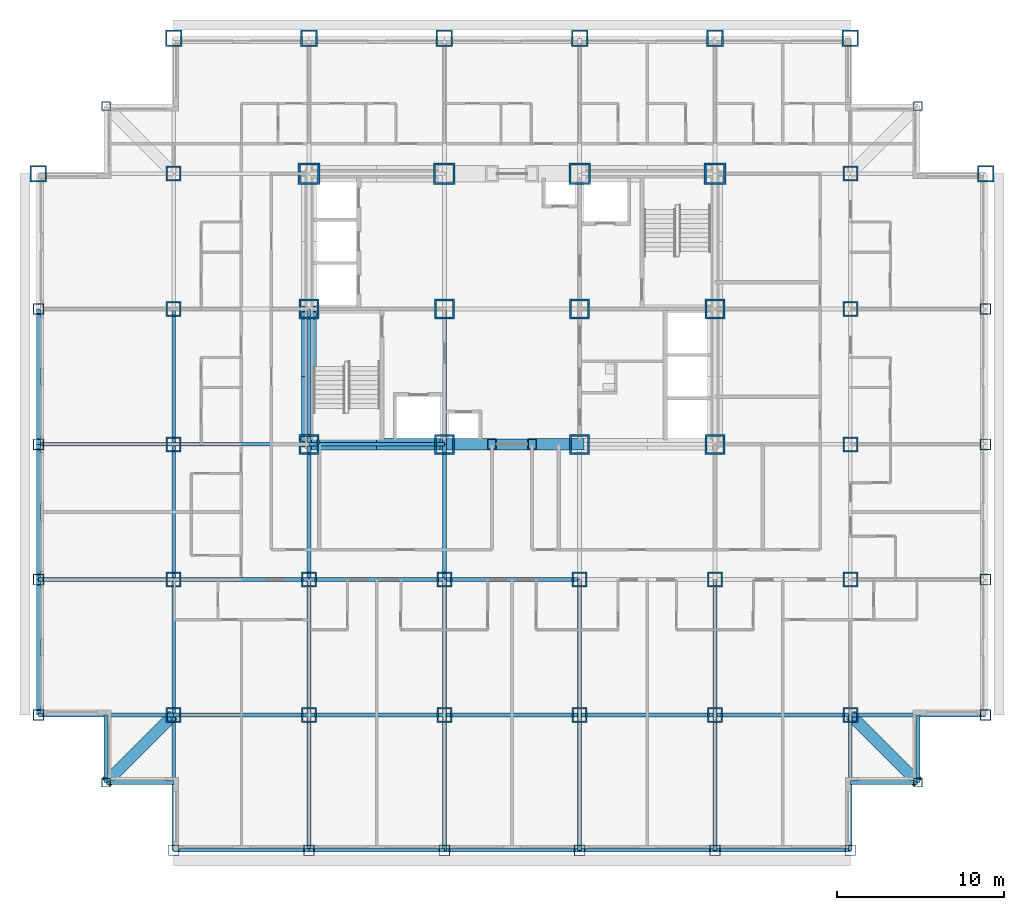
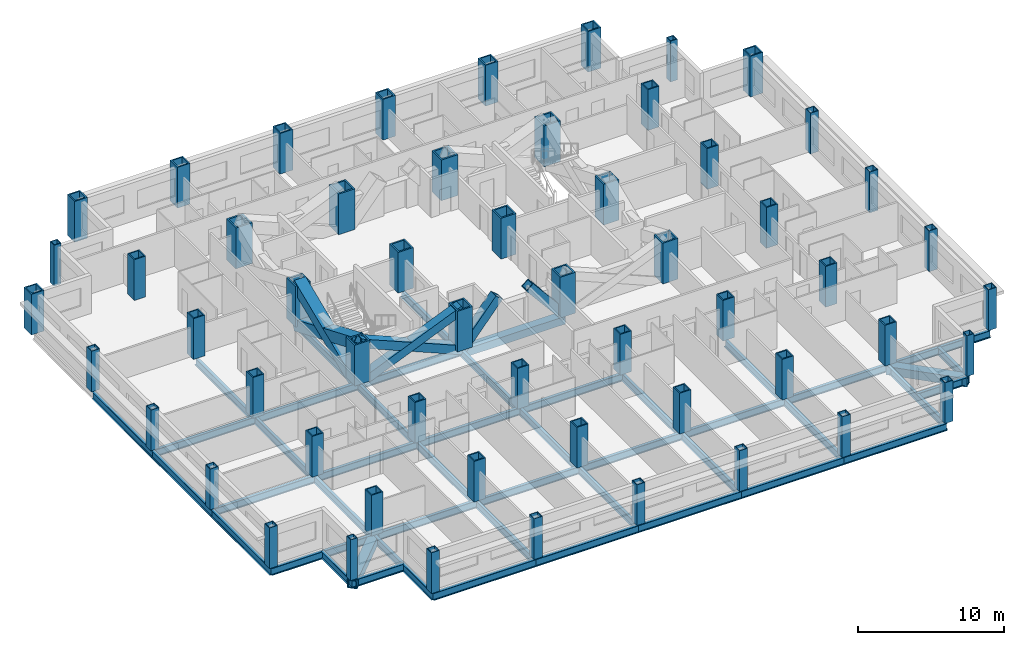
# One storey, part 1 of 12: 56 columns, 46 beams, 6 members.
"""IFC4 building model written with IfcOpenShell, lengths in metres."""

from ifc_helpers import new_model, si_unit, direction, frame, origin, origin_2d, place, context, subcontext, project, spatial, hollow_rectangle, i_section, extrude, material, material_profile, profile_set, type_object, element, save


model = new_model("IFC4")

# Units and contexts
model_context = context("Model", 3, precision=1e-05, world=origin(), true_north=direction((0.0, 1.0)))
body_context = subcontext(model_context, "Body", "Model", "MODEL_VIEW")
ifc_project = project(units=[si_unit("LENGTHUNIT", "METRE"), si_unit("AREAUNIT", "SQUARE_METRE"), si_unit("VOLUMEUNIT", "CUBIC_METRE"), si_unit("PLANEANGLEUNIT", "RADIAN"), si_unit("MASSUNIT", "GRAM", prefix="KILO")], contexts=[model_context])

# Site, building, storey
site_placement = place(None, origin())
site = spatial("IfcSite", under=ifc_project, at=site_placement, CompositionType="ELEMENT")
building_placement = place(site_placement, origin())
building = spatial("IfcBuilding", under=site, at=building_placement, Name="Kopane Lantern Tower", CompositionType="ELEMENT")
storey_placement = place(building_placement, frame((0.0, 0.0, 77.199951171875)))
storey = spatial("IfcBuildingStorey", under=building, at=storey_placement, Name="L19", CompositionType="ELEMENT", Elevation=77.199951171875)

# Columns
ifc_material_1 = material(Name="Steel S355JR", Category="steel")
ifc_material_profile_1 = material_profile(ifc_material_1, hollow_rectangle(XDim=1.0, YDim=1.0, WallThickness=0.10009765625, at=origin_2d()), Name="BOX 1000x1000x100")
ifc_profile_set_1 = profile_set([ifc_material_profile_1], Name="Steel S355JR")
column_type_1 = type_object("IfcColumnType", Name="COLUMN BOX 1000x1000x100", PredefinedType="COLUMN", material=ifc_profile_set_1)
for number, where, z_axis, x_axis, name in (
    (1, (0.0, 40.5, 0.0), (0.0, 0.0, 1.0), (1.0, 0.0, 0.0), "Column 2/G L19"),
    (2, (8.10009765625, 48.60009765625, 0.0), (0.0, 0.0, 1.0), (1.0, 0.0, 0.0), "Column 3/H L19"),
    (3, (16.199951171875, 48.60009765625, 0.0), (0.0, 0.0, 1.0), (1.0, 0.0, 0.0), "Column 4/H L19"),
    (4, (24.300048828125, 48.60009765625, 0.0), (0.0, 0.0, 1.0), (1.0, 0.0, 0.0), "Column 5/H L19"),
    (5, (32.39990234375, 48.60009765625, 0.0), (0.0, 0.0, 1.0), (1.0, 0.0, 0.0), "Column 6/H L19"),
    (6, (40.5, 48.60009765625, 0.0), (0.0, 0.0, 1.0), (1.0, 0.0, 0.0), "Column 7/H L19"),
    (7, (48.60009765625, 48.60009765625, 0.0), (0.0, 0.0, 1.0), (1.0, 0.0, 0.0), "Column 8/H L19"),
    (8, (56.699951171875, 40.5, 0.0), (0.0, 0.0, 1.0), (1.0, 0.0, 0.0), "Column 9/G L19"),
):
    element("IfcColumn", number, at=place(storey_placement, frame(where, z_axis=z_axis, x_axis=x_axis)), inside=storey, type_object=column_type_1, Name=name, PredefinedType="COLUMN", context=body_context, shape_type="SweptSolid", body=[
        extrude(hollow_rectangle(XDim=1.0, YDim=1.0, WallThickness=0.10009765625, at=origin_2d()), origin(), (0.0, 0.0, 1.0), 3.400146484375),
    ])
ifc_material_2 = material(Name="Steel S355JR", Category="steel")
ifc_material_profile_2 = material_profile(ifc_material_2, hollow_rectangle(XDim=1.199951171875, YDim=1.199951171875, WallThickness=0.1201171875, at=origin_2d()), Name="BOX 1200x1200x120")
ifc_profile_set_2 = profile_set([ifc_material_profile_2], Name="Steel S355JR")
column_type_2 = type_object("IfcColumnType", Name="COLUMN BOX 1200x1200x120", PredefinedType="COLUMN", material=ifc_profile_set_2)
for number, where, z_axis, x_axis, name in (
    (9, (16.199951171875, 24.300048828125, 0.0), (0.0, 0.0, 1.0), (1.0, 0.0, 0.0), "Column 4/E L19"),
    (10, (16.199951171875, 32.39990234375, 0.0), (0.0, 0.0, 1.0), (1.0, 0.0, 0.0), "Column 4/F L19"),
    (11, (24.300048828125, 24.300048828125, 0.0), (0.0, 0.0, 1.0), (1.0, 0.0, 0.0), "Column 5/E L19"),
    (12, (24.300048828125, 32.39990234375, 0.0), (0.0, 0.0, 1.0), (1.0, 0.0, 0.0), "Column 5/F L19"),
    (13, (32.39990234375, 24.300048828125, 0.0), (0.0, 0.0, 1.0), (1.0, 0.0, 0.0), "Column 6/E L19"),
    (14, (32.39990234375, 32.39990234375, 0.0), (0.0, 0.0, 1.0), (1.0, 0.0, 0.0), "Column 6/F L19"),
    (15, (40.5, 24.300048828125, 0.0), (0.0, 0.0, 1.0), (1.0, 0.0, 0.0), "Column 7/E L19"),
    (16, (40.5, 32.39990234375, 0.0), (0.0, 0.0, 1.0), (1.0, 0.0, 0.0), "Column 7/F L19"),
):
    element("IfcColumn", number, at=place(storey_placement, frame(where, z_axis=z_axis, x_axis=x_axis)), inside=storey, type_object=column_type_2, Name=name, PredefinedType="COLUMN", context=body_context, shape_type="SweptSolid", body=[
        extrude(hollow_rectangle(XDim=1.199951171875, YDim=1.199951171875, WallThickness=0.1201171875, at=origin_2d()), origin(), (0.0, 0.0, 1.0), 3.400146484375),
    ])
ifc_material_3 = material(Name="Steel S355JR", Category="steel")
ifc_material_profile_3 = material_profile(ifc_material_3, hollow_rectangle(XDim=1.300048828125, YDim=1.300048828125, WallThickness=0.1298828125, at=origin_2d()), Name="BOX 1300x1300x130")
ifc_profile_set_3 = profile_set([ifc_material_profile_3], Name="Steel S355JR")
column_type_3 = type_object("IfcColumnType", Name="COLUMN BOX 1300x1300x130", PredefinedType="COLUMN", material=ifc_profile_set_3)
for number, where, z_axis, x_axis, name in (
    (17, (16.199951171875, 40.5, 0.0), (0.0, 0.0, 1.0), (1.0, 0.0, 0.0), "Column 4/G L19"),
    (18, (24.300048828125, 40.5, 0.0), (0.0, 0.0, 1.0), (1.0, 0.0, 0.0), "Column 5/G L19"),
    (19, (32.39990234375, 40.5, 0.0), (0.0, 0.0, 1.0), (1.0, 0.0, 0.0), "Column 6/G L19"),
    (20, (40.5, 40.5, 0.0), (0.0, 0.0, 1.0), (1.0, 0.0, 0.0), "Column 7/G L19"),
):
    element("IfcColumn", number, at=place(storey_placement, frame(where, z_axis=z_axis, x_axis=x_axis)), inside=storey, type_object=column_type_3, Name=name, PredefinedType="COLUMN", context=body_context, shape_type="SweptSolid", body=[
        extrude(hollow_rectangle(XDim=1.300048828125, YDim=1.300048828125, WallThickness=0.1298828125, at=origin_2d()), origin(), (0.0, 0.0, 1.0), 3.400146484375),
    ])
ifc_material_4 = material(Name="Steel S355JR", Category="steel")
ifc_material_profile_4 = material_profile(ifc_material_4, hollow_rectangle(XDim=0.550048828125, YDim=0.550048828125, WallThickness=0.050048828125, at=origin_2d()), Name="BOX 550x550x50")
ifc_profile_set_4 = profile_set([ifc_material_profile_4], Name="Steel S355JR")
column_type_4 = type_object("IfcColumnType", Name="COLUMN BOX 550x550x50", PredefinedType="COLUMN", material=ifc_profile_set_4)
for number, where, z_axis, x_axis, name in (
    (21, (4.050048828125, 4.050048828125, 0.0), (0.0, 0.0, 1.0), (1.0, 0.0, 0.0), "Column 4.05/4.05 L19"),
    (22, (4.050048828125, 44.550048828125, 0.0), (0.0, 0.0, 1.0), (1.0, 0.0, 0.0), "Column 4.05/44.55 L19"),
    (23, (52.64990234375, 4.050048828125, 0.0), (0.0, 0.0, 1.0), (1.0, 0.0, 0.0), "Column 52.65/4.05 L19"),
    (24, (52.64990234375, 44.550048828125, 0.0), (0.0, 0.0, 1.0), (1.0, 0.0, 0.0), "Column 52.65/44.55 L19"),
):
    element("IfcColumn", number, at=place(storey_placement, frame(where, z_axis=z_axis, x_axis=x_axis)), inside=storey, type_object=column_type_4, Name=name, PredefinedType="COLUMN", context=body_context, shape_type="SweptSolid", body=[
        extrude(hollow_rectangle(XDim=0.550048828125, YDim=0.550048828125, WallThickness=0.050048828125, at=origin_2d()), origin(), (0.0, 0.0, 1.0), 3.400146484375),
    ])
ifc_material_5 = material(Name="Steel S355JR", Category="steel")
ifc_material_profile_5 = material_profile(ifc_material_5, hollow_rectangle(XDim=0.64990234375, YDim=0.64990234375, WallThickness=0.050048828125, at=origin_2d()), Name="BOX 650x650x50")
ifc_profile_set_5 = profile_set([ifc_material_profile_5], Name="Steel S355JR")
column_type_5 = type_object("IfcColumnType", Name="COLUMN BOX 650x650x50", PredefinedType="COLUMN", material=ifc_profile_set_5)
for number, where, z_axis, x_axis, name in (
    (25, (0.0, 8.10009765625, 0.0), (0.0, 0.0, 1.0), (1.0, 0.0, 0.0), "Column 2/C L19"),
    (26, (0.0, 16.199951171875, 0.0), (0.0, 0.0, 1.0), (1.0, 0.0, 0.0), "Column 2/D L19"),
    (27, (0.0, 24.300048828125, 0.0), (0.0, 0.0, 1.0), (1.0, 0.0, 0.0), "Column 2/E L19"),
    (28, (0.0, 32.39990234375, 0.0), (0.0, 0.0, 1.0), (1.0, 0.0, 0.0), "Column 2/F L19"),
    (29, (8.10009765625, 0.0, 0.0), (0.0, 0.0, 1.0), (1.0, 0.0, 0.0), "Column 3/B L19"),
    (30, (16.199951171875, 0.0, 0.0), (0.0, 0.0, 1.0), (1.0, 0.0, 0.0), "Column 4/B L19"),
    (31, (24.300048828125, 0.0, 0.0), (0.0, 0.0, 1.0), (1.0, 0.0, 0.0), "Column 5/B L19"),
    (32, (32.39990234375, 0.0, 0.0), (0.0, 0.0, 1.0), (1.0, 0.0, 0.0), "Column 6/B L19"),
    (33, (40.5, 0.0, 0.0), (0.0, 0.0, 1.0), (1.0, 0.0, 0.0), "Column 7/B L19"),
    (34, (48.60009765625, 0.0, 0.0), (0.0, 0.0, 1.0), (1.0, 0.0, 0.0), "Column 8/B L19"),
    (35, (56.699951171875, 8.10009765625, 0.0), (0.0, 0.0, 1.0), (1.0, 0.0, 0.0), "Column 9/C L19"),
    (36, (56.699951171875, 16.199951171875, 0.0), (0.0, 0.0, 1.0), (1.0, 0.0, 0.0), "Column 9/D L19"),
    (37, (56.699951171875, 24.300048828125, 0.0), (0.0, 0.0, 1.0), (1.0, 0.0, 0.0), "Column 9/E L19"),
    (38, (56.699951171875, 32.39990234375, 0.0), (0.0, 0.0, 1.0), (1.0, 0.0, 0.0), "Column 9/F L19"),
):
    element("IfcColumn", number, at=place(storey_placement, frame(where, z_axis=z_axis, x_axis=x_axis)), inside=storey, type_object=column_type_5, Name=name, PredefinedType="COLUMN", context=body_context, shape_type="SweptSolid", body=[
        extrude(hollow_rectangle(XDim=0.64990234375, YDim=0.64990234375, WallThickness=0.050048828125, at=origin_2d()), origin(), (0.0, 0.0, 1.0), 3.400146484375),
    ])
ifc_material_6 = material(Name="Steel S355JR", Category="steel")
ifc_material_profile_6 = material_profile(ifc_material_6, hollow_rectangle(XDim=0.89990234375, YDim=0.89990234375, WallThickness=0.090087890625, at=origin_2d()), Name="BOX 900x900x90")
ifc_profile_set_6 = profile_set([ifc_material_profile_6], Name="Steel S355JR")
column_type_6 = type_object("IfcColumnType", Name="COLUMN BOX 900x900x90", PredefinedType="COLUMN", material=ifc_profile_set_6)
for number, where, z_axis, x_axis, name in (
    (39, (8.10009765625, 8.10009765625, 0.0), (0.0, 0.0, 1.0), (1.0, 0.0, 0.0), "Column 3/C L19"),
    (40, (8.10009765625, 16.199951171875, 0.0), (0.0, 0.0, 1.0), (1.0, 0.0, 0.0), "Column 3/D L19"),
    (41, (8.10009765625, 24.300048828125, 0.0), (0.0, 0.0, 1.0), (1.0, 0.0, 0.0), "Column 3/E L19"),
    (42, (8.10009765625, 32.39990234375, 0.0), (0.0, 0.0, 1.0), (1.0, 0.0, 0.0), "Column 3/F L19"),
    (43, (8.10009765625, 40.5, 0.0), (0.0, 0.0, 1.0), (1.0, 0.0, 0.0), "Column 3/G L19"),
    (44, (16.199951171875, 8.10009765625, 0.0), (0.0, 0.0, 1.0), (1.0, 0.0, 0.0), "Column 4/C L19"),
    (45, (16.199951171875, 16.199951171875, 0.0), (0.0, 0.0, 1.0), (1.0, 0.0, 0.0), "Column 4/D L19"),
    (46, (24.300048828125, 8.10009765625, 0.0), (0.0, 0.0, 1.0), (1.0, 0.0, 0.0), "Column 5/C L19"),
    (47, (24.300048828125, 16.199951171875, 0.0), (0.0, 0.0, 1.0), (1.0, 0.0, 0.0), "Column 5/D L19"),
    (48, (32.39990234375, 8.10009765625, 0.0), (0.0, 0.0, 1.0), (1.0, 0.0, 0.0), "Column 6/C L19"),
    (49, (32.39990234375, 16.199951171875, 0.0), (0.0, 0.0, 1.0), (1.0, 0.0, 0.0), "Column 6/D L19"),
    (50, (40.5, 8.10009765625, 0.0), (0.0, 0.0, 1.0), (1.0, 0.0, 0.0), "Column 7/C L19"),
    (51, (40.5, 16.199951171875, 0.0), (0.0, 0.0, 1.0), (1.0, 0.0, 0.0), "Column 7/D L19"),
    (52, (48.60009765625, 8.10009765625, 0.0), (0.0, 0.0, 1.0), (1.0, 0.0, 0.0), "Column 8/C L19"),
    (53, (48.60009765625, 16.199951171875, 0.0), (0.0, 0.0, 1.0), (1.0, 0.0, 0.0), "Column 8/D L19"),
    (54, (48.60009765625, 24.300048828125, 0.0), (0.0, 0.0, 1.0), (1.0, 0.0, 0.0), "Column 8/E L19"),
    (55, (48.60009765625, 32.39990234375, 0.0), (0.0, 0.0, 1.0), (1.0, 0.0, 0.0), "Column 8/F L19"),
    (56, (48.60009765625, 40.5, 0.0), (0.0, 0.0, 1.0), (1.0, 0.0, 0.0), "Column 8/G L19"),
):
    element("IfcColumn", number, at=place(storey_placement, frame(where, z_axis=z_axis, x_axis=x_axis)), inside=storey, type_object=column_type_6, Name=name, PredefinedType="COLUMN", context=body_context, shape_type="SweptSolid", body=[
        extrude(hollow_rectangle(XDim=0.89990234375, YDim=0.89990234375, WallThickness=0.090087890625, at=origin_2d()), origin(), (0.0, 0.0, 1.0), 3.400146484375),
    ])

# Members
ifc_material_7 = material(Name="Steel S355JR", Category="steel")
ifc_material_profile_7 = material_profile(ifc_material_7, hollow_rectangle(XDim=0.699951171875, YDim=0.699951171875, WallThickness=0.06005859375, at=origin_2d()), Name="BOX 700x700x60")
ifc_profile_set_7 = profile_set([ifc_material_profile_7], Name="Steel S355JR")
member_type_1 = type_object("IfcMemberType", Name="BRACE BOX 700x700x60", PredefinedType="BRACE", material=ifc_profile_set_7)
for number, where, z_axis, x_axis, name in (
    (57, (16.199951171875, 24.300048828125, -0.2099609375), (0.922069000757, 0.0, 0.387025526088), (0.0, 1.0, 0.0), "Core brace L19"),
    (58, (24.300048828125, 24.300048828125, -0.2099609375), (-0.922069000757, 0.0, 0.387025526088), (0.0, -1.0, 0.0), "Core brace L19"),
):
    element("IfcMember", number, at=place(storey_placement, frame(where, z_axis=z_axis, x_axis=x_axis)), inside=storey, type_object=member_type_1, Name=name, PredefinedType="BRACE", context=body_context, shape_type="SweptSolid", body=[
        extrude(hollow_rectangle(XDim=0.699951171875, YDim=0.699951171875, WallThickness=0.06005859375, at=origin_2d()), origin(), (0.0, 0.0, 1.0), 8.78466796875),
    ])
for number, where, z_axis, x_axis, name in (
    (59, (24.300048828125, 24.300048828125, -0.2099609375), (0.642390257445, 0.0, 0.7663776857), (0.0, 1.0, 0.0), "Core brace L19"),
    (60, (32.39990234375, 24.300048828125, -0.2099609375), (-0.642390257445, 0.0, 0.7663776857), (0.0, -1.0, 0.0), "Core brace L19"),
):
    element("IfcMember", number, at=place(storey_placement, frame(where, z_axis=z_axis, x_axis=x_axis)), inside=storey, type_object=member_type_1, Name=name, PredefinedType="BRACE", context=body_context, shape_type="SweptSolid", body=[
        extrude(hollow_rectangle(XDim=0.699951171875, YDim=0.699951171875, WallThickness=0.06005859375, at=origin_2d()), origin(), (0.0, 0.0, 1.0), 4.436279296875),
    ])
ifc_material_8 = material(Name="Steel S355JR", Category="steel")
ifc_material_profile_8 = material_profile(ifc_material_8, hollow_rectangle(XDim=0.89990234375, YDim=0.89990234375, WallThickness=0.090087890625, at=origin_2d()), Name="BOX 900x900x90")
ifc_profile_set_8 = profile_set([ifc_material_profile_8], Name="Steel S355JR")
member_type_2 = type_object("IfcMemberType", Name="BRACE BOX 900x900x90", PredefinedType="BRACE", material=ifc_profile_set_8)
for number, where, z_axis, x_axis, name in (
    (61, (16.199951171875, 24.300048828125, -0.2099609375), (0.0, 0.922064837731, 0.38703544414), (-1.0, 0.0, 0.0), "Core brace L19"),
    (62, (16.199951171875, 32.39990234375, -0.2099609375), (0.0, -0.922064837731, 0.38703544414), (1.0, 0.0, 0.0), "Core brace L19"),
):
    element("IfcMember", number, at=place(storey_placement, frame(where, z_axis=z_axis, x_axis=x_axis)), inside=storey, type_object=member_type_2, Name=name, PredefinedType="BRACE", context=body_context, shape_type="SweptSolid", body=[
        extrude(hollow_rectangle(XDim=0.89990234375, YDim=0.89990234375, WallThickness=0.090087890625, at=origin_2d()), origin(), (0.0, 0.0, 1.0), 8.784423828125),
    ])

# Beams
ifc_material_9 = material(Name="Steel S355JR", Category="steel")
ifc_material_profile_9 = material_profile(ifc_material_9, i_section(OverallWidth=0.22900390625, OverallDepth=0.6123046875, WebThickness=0.011962890625, FlangeThickness=0.01953125, FilletRadius=0.0126953125, at=origin_2d()), Name="UB 610x229x125")
ifc_profile_set_9 = profile_set([ifc_material_profile_9], Name="Steel S355JR")
beam_type_1 = type_object("IfcBeamType", Name="CORE BEAM UB 610x229x125", PredefinedType="BEAM", material=ifc_profile_set_9)
beam_1_placement = place(storey_placement, frame((24.300048828125, 24.300048828125, -0.51611328125), z_axis=(0.0, 1.0, 0.0), x_axis=(-1.0, 0.0, 0.0)))
element("IfcBeam", 63, at=beam_1_placement, inside=storey, type_object=beam_type_1, Name="Core Beam L19", PredefinedType="BEAM", context=body_context, shape_type="SweptSolid", body=[
    extrude(i_section(OverallWidth=0.22900390625, OverallDepth=0.6123046875, WebThickness=0.011962890625, FlangeThickness=0.01953125, FilletRadius=0.0126953125, at=origin_2d()), origin(), (0.0, 0.0, 1.0), 8.099853515625),
])
ifc_material_10 = material(Name="Steel S355JR", Category="steel")
ifc_material_profile_10 = material_profile(ifc_material_10, hollow_rectangle(XDim=0.699951171875, YDim=0.699951171875, WallThickness=0.06005859375, at=origin_2d()), Name="BOX 700x700x60")
ifc_profile_set_10 = profile_set([ifc_material_profile_10], Name="Steel S355JR")
beam_type_2 = type_object("IfcBeamType", Name="CORNER TIE BEAM BOX 700x700x60", PredefinedType="BEAM", material=ifc_profile_set_10)
for number, where, z_axis, x_axis, name in (
    (64, (4.050048828125, 4.050048828125, -0.56005859375), (0.707106781187, 0.707106781187, 0.0), (-0.707106781187, 0.707106781187, 0.0), "Corner Tie Beam L19"),
    (65, (52.64990234375, 4.050048828125, -0.56005859375), (-0.707085467703, 0.707128094028, 0.0), (-0.707128094028, -0.707085467703, 0.0), "Corner Tie Beam L19"),
):
    element("IfcBeam", number, at=place(storey_placement, frame(where, z_axis=z_axis, x_axis=x_axis)), inside=storey, type_object=beam_type_2, Name=name, PredefinedType="BEAM", context=body_context, shape_type="SweptSolid", body=[
        extrude(hollow_rectangle(XDim=0.699951171875, YDim=0.699951171875, WallThickness=0.06005859375, at=origin_2d()), origin(), (0.0, 0.0, 1.0), 5.7275390625),
    ])
ifc_material_11 = material(Name="Steel S355JR", Category="steel")
ifc_material_profile_11 = material_profile(ifc_material_11, i_section(OverallWidth=0.22900390625, OverallDepth=0.6123046875, WebThickness=0.011962890625, FlangeThickness=0.01953125, FilletRadius=0.0126953125, at=origin_2d()), Name="UB 610x229x125")
ifc_profile_set_11 = profile_set([ifc_material_profile_11], Name="Steel S355JR")
beam_type_3 = type_object("IfcBeamType", Name="EDGE BEAM UB 610x229x125", PredefinedType="BEAM", material=ifc_profile_set_11)
for number, where, z_axis, x_axis, name in (
    (66, (4.050048828125, 4.050048828125, -0.51611328125), (0.0, 1.0, 0.0), (-1.0, 0.0, 0.0), "Edge Beam L19"),
    (67, (4.050048828125, 4.050048828125, -0.51611328125), (1.0, 0.0, 0.0), (0.0, 1.0, 0.0), "Edge Beam L19"),
):
    element("IfcBeam", number, at=place(storey_placement, frame(where, z_axis=z_axis, x_axis=x_axis)), inside=storey, type_object=beam_type_3, Name=name, PredefinedType="BEAM", context=body_context, shape_type="SweptSolid", body=[
        extrude(i_section(OverallWidth=0.22900390625, OverallDepth=0.6123046875, WebThickness=0.011962890625, FlangeThickness=0.01953125, FilletRadius=0.0126953125, at=origin_2d()), origin(), (0.0, 0.0, 1.0), 4.050048828125),
    ])
beam_2_placement = place(storey_placement, frame((52.64990234375, 4.050048828125, -0.51611328125), z_axis=(-1.0, 0.0, 0.0), x_axis=(0.0, -1.0, 0.0)))
element("IfcBeam", 68, at=beam_2_placement, inside=storey, type_object=beam_type_3, Name="Edge Beam L19", PredefinedType="BEAM", context=body_context, shape_type="SweptSolid", body=[
    extrude(i_section(OverallWidth=0.22900390625, OverallDepth=0.6123046875, WebThickness=0.011962890625, FlangeThickness=0.01953125, FilletRadius=0.0126953125, at=origin_2d()), origin(), (0.0, 0.0, 1.0), 4.0498046875),
])
beam_3_placement = place(storey_placement, frame((52.64990234375, 4.050048828125, -0.51611328125), z_axis=(0.0, 1.0, 0.0), x_axis=(-1.0, 0.0, 0.0)))
element("IfcBeam", 69, at=beam_3_placement, inside=storey, type_object=beam_type_3, Name="Edge Beam L19", PredefinedType="BEAM", context=body_context, shape_type="SweptSolid", body=[
    extrude(i_section(OverallWidth=0.22900390625, OverallDepth=0.6123046875, WebThickness=0.011962890625, FlangeThickness=0.01953125, FilletRadius=0.0126953125, at=origin_2d()), origin(), (0.0, 0.0, 1.0), 4.050048828125),
])
ifc_material_12 = material(Name="Steel S355JR", Category="steel")
ifc_material_profile_12 = material_profile(ifc_material_12, i_section(OverallWidth=0.22900390625, OverallDepth=0.6123046875, WebThickness=0.011962890625, FlangeThickness=0.01953125, FilletRadius=0.0126953125, at=origin_2d()), Name="UB 610x229x125")
ifc_profile_set_12 = profile_set([ifc_material_profile_12], Name="Steel S355JR")
beam_type_4 = type_object("IfcBeamType", Name="GIRDER UB 610x229x125", PredefinedType="BEAM", material=ifc_profile_set_12)
beam_4_placement = place(storey_placement, frame((0.0, 8.10009765625, -0.51611328125), z_axis=(0.0, 1.0, 0.0), x_axis=(-1.0, 0.0, 0.0)))
element("IfcBeam", 70, at=beam_4_placement, inside=storey, type_object=beam_type_4, Name="Girder L19", PredefinedType="BEAM", context=body_context, shape_type="SweptSolid", body=[
    extrude(i_section(OverallWidth=0.22900390625, OverallDepth=0.6123046875, WebThickness=0.011962890625, FlangeThickness=0.01953125, FilletRadius=0.0126953125, at=origin_2d()), origin(), (0.0, 0.0, 1.0), 8.099853515625),
])
for number, where, z_axis, x_axis, name in (
    (71, (0.0, 8.10009765625, -0.51611328125), (1.0, 0.0, 0.0), (0.0, 1.0, 0.0), "Girder L19"),
    (72, (0.0, 16.199951171875, -0.51611328125), (0.0, 1.0, 0.0), (-1.0, 0.0, 0.0), "Girder L19"),
    (73, (0.0, 16.199951171875, -0.51611328125), (1.0, 0.0, 0.0), (0.0, 1.0, 0.0), "Girder L19"),
):
    element("IfcBeam", number, at=place(storey_placement, frame(where, z_axis=z_axis, x_axis=x_axis)), inside=storey, type_object=beam_type_4, Name=name, PredefinedType="BEAM", context=body_context, shape_type="SweptSolid", body=[
        extrude(i_section(OverallWidth=0.22900390625, OverallDepth=0.6123046875, WebThickness=0.011962890625, FlangeThickness=0.01953125, FilletRadius=0.0126953125, at=origin_2d()), origin(), (0.0, 0.0, 1.0), 8.10009765625),
    ])
beam_5_placement = place(storey_placement, frame((0.0, 24.300048828125, -0.51611328125), z_axis=(0.0, 1.0, 0.0), x_axis=(-1.0, 0.0, 0.0)))
element("IfcBeam", 74, at=beam_5_placement, inside=storey, type_object=beam_type_4, Name="Girder L19", PredefinedType="BEAM", context=body_context, shape_type="SweptSolid", body=[
    extrude(i_section(OverallWidth=0.22900390625, OverallDepth=0.6123046875, WebThickness=0.011962890625, FlangeThickness=0.01953125, FilletRadius=0.0126953125, at=origin_2d()), origin(), (0.0, 0.0, 1.0), 8.099853515625),
])
for number, where, z_axis, x_axis, name in (
    (75, (0.0, 24.300048828125, -0.51611328125), (1.0, 0.0, 0.0), (0.0, 1.0, 0.0), "Girder L19"),
    (76, (8.10009765625, 0.0, -0.51611328125), (0.0, 1.0, 0.0), (-1.0, 0.0, 0.0), "Girder L19"),
):
    element("IfcBeam", number, at=place(storey_placement, frame(where, z_axis=z_axis, x_axis=x_axis)), inside=storey, type_object=beam_type_4, Name=name, PredefinedType="BEAM", context=body_context, shape_type="SweptSolid", body=[
        extrude(i_section(OverallWidth=0.22900390625, OverallDepth=0.6123046875, WebThickness=0.011962890625, FlangeThickness=0.01953125, FilletRadius=0.0126953125, at=origin_2d()), origin(), (0.0, 0.0, 1.0), 8.10009765625),
    ])
for number, where, z_axis, x_axis, name in (
    (77, (8.10009765625, 0.0, -0.51611328125), (1.0, 0.0, 0.0), (0.0, 1.0, 0.0), "Girder L19"),
    (78, (8.10009765625, 8.10009765625, -0.51611328125), (0.0, 1.0, 0.0), (-1.0, 0.0, 0.0), "Girder L19"),
    (79, (8.10009765625, 8.10009765625, -0.51611328125), (1.0, 0.0, 0.0), (0.0, 1.0, 0.0), "Girder L19"),
):
    element("IfcBeam", number, at=place(storey_placement, frame(where, z_axis=z_axis, x_axis=x_axis)), inside=storey, type_object=beam_type_4, Name=name, PredefinedType="BEAM", context=body_context, shape_type="SweptSolid", body=[
        extrude(i_section(OverallWidth=0.22900390625, OverallDepth=0.6123046875, WebThickness=0.011962890625, FlangeThickness=0.01953125, FilletRadius=0.0126953125, at=origin_2d()), origin(), (0.0, 0.0, 1.0), 8.099853515625),
    ])
beam_6_placement = place(storey_placement, frame((8.10009765625, 16.199951171875, -0.51611328125), z_axis=(0.0, 1.0, 0.0), x_axis=(-1.0, 0.0, 0.0)))
element("IfcBeam", 80, at=beam_6_placement, inside=storey, type_object=beam_type_4, Name="Girder L19", PredefinedType="BEAM", context=body_context, shape_type="SweptSolid", body=[
    extrude(i_section(OverallWidth=0.22900390625, OverallDepth=0.6123046875, WebThickness=0.011962890625, FlangeThickness=0.01953125, FilletRadius=0.0126953125, at=origin_2d()), origin(), (0.0, 0.0, 1.0), 8.10009765625),
])
for number, where, z_axis, x_axis, name in (
    (81, (8.10009765625, 16.199951171875, -0.51611328125), (1.0, 0.0, 0.0), (0.0, 1.0, 0.0), "Girder L19"),
    (82, (8.10009765625, 24.300048828125, -0.51611328125), (0.0, 1.0, 0.0), (-1.0, 0.0, 0.0), "Girder L19"),
    (83, (8.10009765625, 24.300048828125, -0.51611328125), (1.0, 0.0, 0.0), (0.0, 1.0, 0.0), "Girder L19"),
):
    element("IfcBeam", number, at=place(storey_placement, frame(where, z_axis=z_axis, x_axis=x_axis)), inside=storey, type_object=beam_type_4, Name=name, PredefinedType="BEAM", context=body_context, shape_type="SweptSolid", body=[
        extrude(i_section(OverallWidth=0.22900390625, OverallDepth=0.6123046875, WebThickness=0.011962890625, FlangeThickness=0.01953125, FilletRadius=0.0126953125, at=origin_2d()), origin(), (0.0, 0.0, 1.0), 8.099853515625),
    ])
for number, where, z_axis, x_axis, name in (
    (84, (16.199951171875, 0.0, -0.51611328125), (0.0, 1.0, 0.0), (-1.0, 0.0, 0.0), "Girder L19"),
    (85, (16.199951171875, 0.0, -0.51611328125), (1.0, 0.0, 0.0), (0.0, 1.0, 0.0), "Girder L19"),
):
    element("IfcBeam", number, at=place(storey_placement, frame(where, z_axis=z_axis, x_axis=x_axis)), inside=storey, type_object=beam_type_4, Name=name, PredefinedType="BEAM", context=body_context, shape_type="SweptSolid", body=[
        extrude(i_section(OverallWidth=0.22900390625, OverallDepth=0.6123046875, WebThickness=0.011962890625, FlangeThickness=0.01953125, FilletRadius=0.0126953125, at=origin_2d()), origin(), (0.0, 0.0, 1.0), 8.10009765625),
    ])
beam_7_placement = place(storey_placement, frame((16.199951171875, 8.10009765625, -0.51611328125), z_axis=(0.0, 1.0, 0.0), x_axis=(-1.0, 0.0, 0.0)))
element("IfcBeam", 86, at=beam_7_placement, inside=storey, type_object=beam_type_4, Name="Girder L19", PredefinedType="BEAM", context=body_context, shape_type="SweptSolid", body=[
    extrude(i_section(OverallWidth=0.22900390625, OverallDepth=0.6123046875, WebThickness=0.011962890625, FlangeThickness=0.01953125, FilletRadius=0.0126953125, at=origin_2d()), origin(), (0.0, 0.0, 1.0), 8.099853515625),
])
for number, where, z_axis, x_axis, name in (
    (87, (16.199951171875, 8.10009765625, -0.51611328125), (1.0, 0.0, 0.0), (0.0, 1.0, 0.0), "Girder L19"),
    (88, (16.199951171875, 16.199951171875, -0.51611328125), (0.0, 1.0, 0.0), (-1.0, 0.0, 0.0), "Girder L19"),
    (89, (16.199951171875, 16.199951171875, -0.51611328125), (1.0, 0.0, 0.0), (0.0, 1.0, 0.0), "Girder L19"),
):
    element("IfcBeam", number, at=place(storey_placement, frame(where, z_axis=z_axis, x_axis=x_axis)), inside=storey, type_object=beam_type_4, Name=name, PredefinedType="BEAM", context=body_context, shape_type="SweptSolid", body=[
        extrude(i_section(OverallWidth=0.22900390625, OverallDepth=0.6123046875, WebThickness=0.011962890625, FlangeThickness=0.01953125, FilletRadius=0.0126953125, at=origin_2d()), origin(), (0.0, 0.0, 1.0), 8.10009765625),
    ])
beam_8_placement = place(storey_placement, frame((16.199951171875, 24.300048828125, -0.51611328125), z_axis=(0.0, 1.0, 0.0), x_axis=(-1.0, 0.0, 0.0)))
element("IfcBeam", 90, at=beam_8_placement, inside=storey, type_object=beam_type_4, Name="Girder L19", PredefinedType="BEAM", context=body_context, shape_type="SweptSolid", body=[
    extrude(i_section(OverallWidth=0.22900390625, OverallDepth=0.6123046875, WebThickness=0.011962890625, FlangeThickness=0.01953125, FilletRadius=0.0126953125, at=origin_2d()), origin(), (0.0, 0.0, 1.0), 8.099853515625),
])
for number, where, z_axis, x_axis, name in (
    (91, (16.199951171875, 24.300048828125, -0.51611328125), (1.0, 0.0, 0.0), (0.0, 1.0, 0.0), "Girder L19"),
    (92, (24.300048828125, 0.0, -0.51611328125), (0.0, 1.0, 0.0), (-1.0, 0.0, 0.0), "Girder L19"),
):
    element("IfcBeam", number, at=place(storey_placement, frame(where, z_axis=z_axis, x_axis=x_axis)), inside=storey, type_object=beam_type_4, Name=name, PredefinedType="BEAM", context=body_context, shape_type="SweptSolid", body=[
        extrude(i_section(OverallWidth=0.22900390625, OverallDepth=0.6123046875, WebThickness=0.011962890625, FlangeThickness=0.01953125, FilletRadius=0.0126953125, at=origin_2d()), origin(), (0.0, 0.0, 1.0), 8.10009765625),
    ])
for number, where, z_axis, x_axis, name in (
    (93, (24.300048828125, 0.0, -0.51611328125), (1.0, 0.0, 0.0), (0.0, 1.0, 0.0), "Girder L19"),
    (94, (24.300048828125, 8.10009765625, -0.51611328125), (0.0, 1.0, 0.0), (-1.0, 0.0, 0.0), "Girder L19"),
    (95, (24.300048828125, 8.10009765625, -0.51611328125), (1.0, 0.0, 0.0), (0.0, 1.0, 0.0), "Girder L19"),
):
    element("IfcBeam", number, at=place(storey_placement, frame(where, z_axis=z_axis, x_axis=x_axis)), inside=storey, type_object=beam_type_4, Name=name, PredefinedType="BEAM", context=body_context, shape_type="SweptSolid", body=[
        extrude(i_section(OverallWidth=0.22900390625, OverallDepth=0.6123046875, WebThickness=0.011962890625, FlangeThickness=0.01953125, FilletRadius=0.0126953125, at=origin_2d()), origin(), (0.0, 0.0, 1.0), 8.099853515625),
    ])
beam_9_placement = place(storey_placement, frame((24.300048828125, 16.199951171875, -0.51611328125), z_axis=(0.0, 1.0, 0.0), x_axis=(-1.0, 0.0, 0.0)))
element("IfcBeam", 96, at=beam_9_placement, inside=storey, type_object=beam_type_4, Name="Girder L19", PredefinedType="BEAM", context=body_context, shape_type="SweptSolid", body=[
    extrude(i_section(OverallWidth=0.22900390625, OverallDepth=0.6123046875, WebThickness=0.011962890625, FlangeThickness=0.01953125, FilletRadius=0.0126953125, at=origin_2d()), origin(), (0.0, 0.0, 1.0), 8.10009765625),
])
beam_10_placement = place(storey_placement, frame((24.300048828125, 16.199951171875, -0.51611328125), z_axis=(1.0, 0.0, 0.0), x_axis=(0.0, 1.0, 0.0)))
element("IfcBeam", 97, at=beam_10_placement, inside=storey, type_object=beam_type_4, Name="Girder L19", PredefinedType="BEAM", context=body_context, shape_type="SweptSolid", body=[
    extrude(i_section(OverallWidth=0.22900390625, OverallDepth=0.6123046875, WebThickness=0.011962890625, FlangeThickness=0.01953125, FilletRadius=0.0126953125, at=origin_2d()), origin(), (0.0, 0.0, 1.0), 8.099853515625),
])
for number, where, z_axis, x_axis, name in (
    (98, (32.39990234375, 0.0, -0.51611328125), (0.0, 1.0, 0.0), (-1.0, 0.0, 0.0), "Girder L19"),
    (99, (32.39990234375, 0.0, -0.51611328125), (1.0, 0.0, 0.0), (0.0, 1.0, 0.0), "Girder L19"),
):
    element("IfcBeam", number, at=place(storey_placement, frame(where, z_axis=z_axis, x_axis=x_axis)), inside=storey, type_object=beam_type_4, Name=name, PredefinedType="BEAM", context=body_context, shape_type="SweptSolid", body=[
        extrude(i_section(OverallWidth=0.22900390625, OverallDepth=0.6123046875, WebThickness=0.011962890625, FlangeThickness=0.01953125, FilletRadius=0.0126953125, at=origin_2d()), origin(), (0.0, 0.0, 1.0), 8.10009765625),
    ])
beam_11_placement = place(storey_placement, frame((32.39990234375, 8.10009765625, -0.51611328125), z_axis=(0.0, 1.0, 0.0), x_axis=(-1.0, 0.0, 0.0)))
element("IfcBeam", 100, at=beam_11_placement, inside=storey, type_object=beam_type_4, Name="Girder L19", PredefinedType="BEAM", context=body_context, shape_type="SweptSolid", body=[
    extrude(i_section(OverallWidth=0.22900390625, OverallDepth=0.6123046875, WebThickness=0.011962890625, FlangeThickness=0.01953125, FilletRadius=0.0126953125, at=origin_2d()), origin(), (0.0, 0.0, 1.0), 8.099853515625),
])
for number, where, z_axis, x_axis, name in (
    (101, (32.39990234375, 8.10009765625, -0.51611328125), (1.0, 0.0, 0.0), (0.0, 1.0, 0.0), "Girder L19"),
    (102, (40.5, 0.0, -0.51611328125), (0.0, 1.0, 0.0), (-1.0, 0.0, 0.0), "Girder L19"),
    (103, (40.5, 0.0, -0.51611328125), (1.0, 0.0, 0.0), (0.0, 1.0, 0.0), "Girder L19"),
):
    element("IfcBeam", number, at=place(storey_placement, frame(where, z_axis=z_axis, x_axis=x_axis)), inside=storey, type_object=beam_type_4, Name=name, PredefinedType="BEAM", context=body_context, shape_type="SweptSolid", body=[
        extrude(i_section(OverallWidth=0.22900390625, OverallDepth=0.6123046875, WebThickness=0.011962890625, FlangeThickness=0.01953125, FilletRadius=0.0126953125, at=origin_2d()), origin(), (0.0, 0.0, 1.0), 8.10009765625),
    ])
beam_12_placement = place(storey_placement, frame((40.5, 8.10009765625, -0.51611328125), z_axis=(0.0, 1.0, 0.0), x_axis=(-1.0, 0.0, 0.0)))
element("IfcBeam", 104, at=beam_12_placement, inside=storey, type_object=beam_type_4, Name="Girder L19", PredefinedType="BEAM", context=body_context, shape_type="SweptSolid", body=[
    extrude(i_section(OverallWidth=0.22900390625, OverallDepth=0.6123046875, WebThickness=0.011962890625, FlangeThickness=0.01953125, FilletRadius=0.0126953125, at=origin_2d()), origin(), (0.0, 0.0, 1.0), 8.099853515625),
])
for number, where, z_axis, x_axis, name in (
    (105, (40.5, 8.10009765625, -0.51611328125), (1.0, 0.0, 0.0), (0.0, 1.0, 0.0), "Girder L19"),
    (106, (48.60009765625, 0.0, -0.51611328125), (0.0, 1.0, 0.0), (-1.0, 0.0, 0.0), "Girder L19"),
):
    element("IfcBeam", number, at=place(storey_placement, frame(where, z_axis=z_axis, x_axis=x_axis)), inside=storey, type_object=beam_type_4, Name=name, PredefinedType="BEAM", context=body_context, shape_type="SweptSolid", body=[
        extrude(i_section(OverallWidth=0.22900390625, OverallDepth=0.6123046875, WebThickness=0.011962890625, FlangeThickness=0.01953125, FilletRadius=0.0126953125, at=origin_2d()), origin(), (0.0, 0.0, 1.0), 8.10009765625),
    ])
beam_13_placement = place(storey_placement, frame((48.60009765625, 8.10009765625, -0.51611328125), z_axis=(1.0, 0.0, 0.0), x_axis=(0.0, 1.0, 0.0)))
element("IfcBeam", 107, at=beam_13_placement, inside=storey, type_object=beam_type_4, Name="Girder L19", PredefinedType="BEAM", context=body_context, shape_type="SweptSolid", body=[
    extrude(i_section(OverallWidth=0.22900390625, OverallDepth=0.6123046875, WebThickness=0.011962890625, FlangeThickness=0.01953125, FilletRadius=0.0126953125, at=origin_2d()), origin(), (0.0, 0.0, 1.0), 8.099853515625),
])
ifc_material_13 = material(Name="Steel S355JR", Category="steel")
ifc_material_profile_13 = material_profile(ifc_material_13, hollow_rectangle(XDim=0.64990234375, YDim=0.64990234375, WallThickness=0.070068359375, at=origin_2d()), Name="BOX 650x650x70")
ifc_profile_set_13 = profile_set([ifc_material_profile_13], Name="Steel S355JR")
beam_type_5 = type_object("IfcBeamType", Name="LINK BEAM BOX 650x650x70", PredefinedType="BEAM", material=ifc_profile_set_13)
beam_14_placement = place(storey_placement, frame((24.300048828125, 24.300048828125, -0.534912109375), z_axis=(1.0, 0.0, 0.0), x_axis=(0.0, 1.0, 0.0)))
element("IfcBeam", 108, at=beam_14_placement, inside=storey, type_object=beam_type_5, Name="Link Beam L19", PredefinedType="BEAM", context=body_context, shape_type="SweptSolid", body=[
    extrude(hollow_rectangle(XDim=0.64990234375, YDim=0.64990234375, WallThickness=0.070068359375, at=origin_2d()), origin(), (0.0, 0.0, 1.0), 8.099853515625),
])

save(model, "model.ifc")
